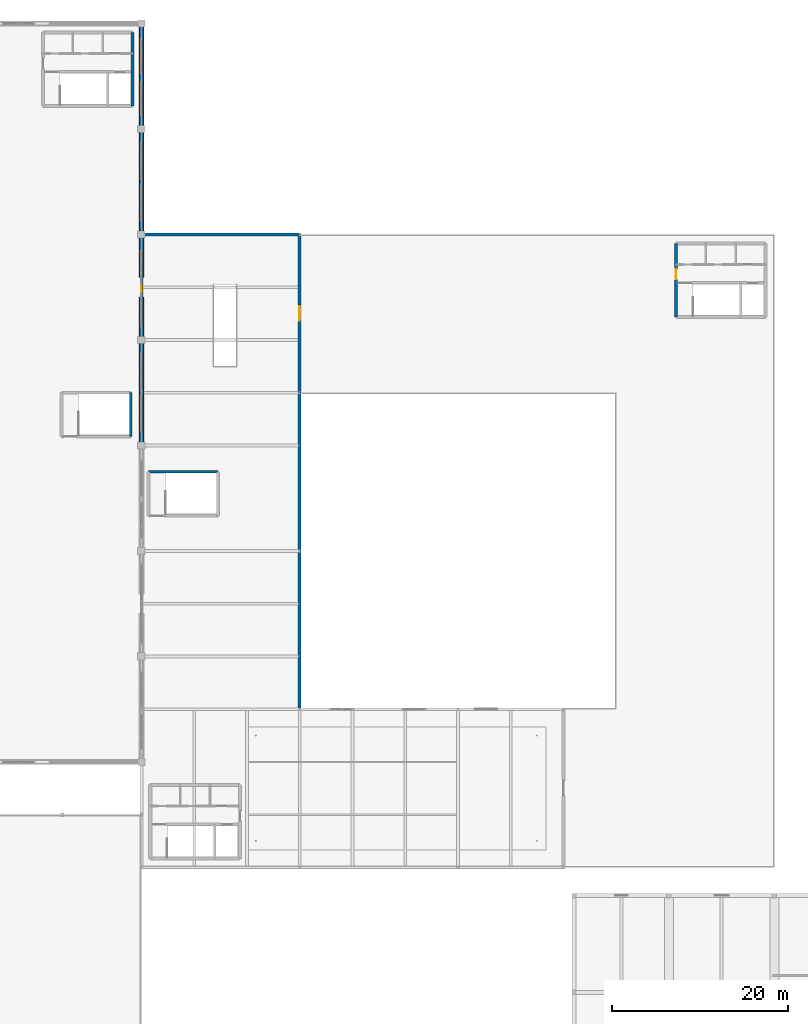
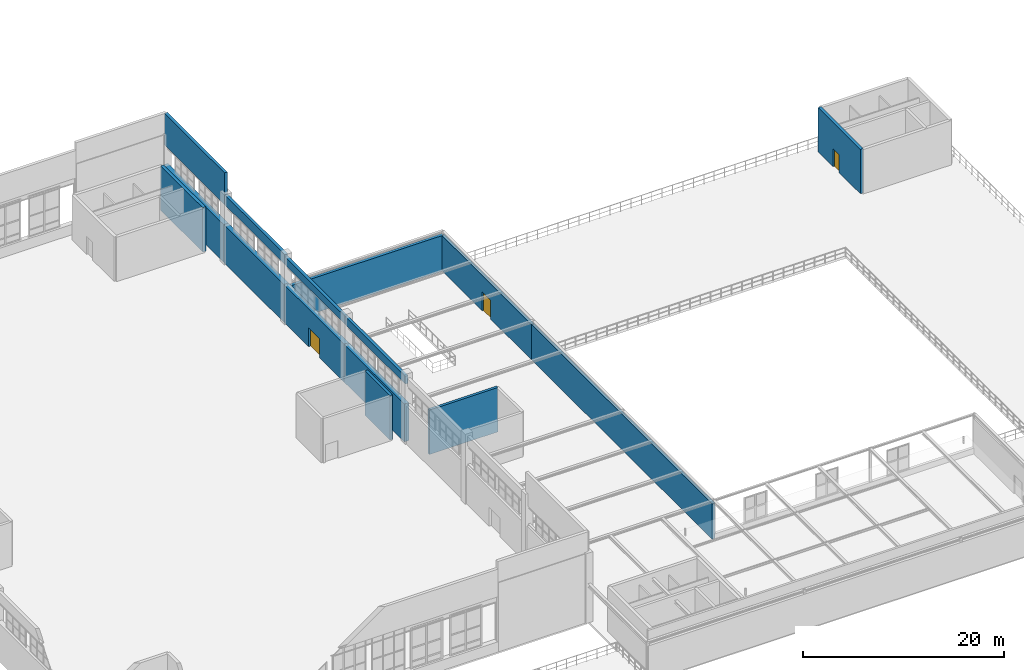
# One storey, part 81 of 97: 15 walls, 3 doors, 3 openings.
"""IFC4 building model written with IfcOpenShell, lengths in metres."""

from ifc_helpers import new_model, si_unit, derived_unit, direction, frame, frame_2d, origin, place, context, subcontext, project, spatial, rectangle, extrude, material, layer, layer_set, type_object, element, fill, save


model = new_model("IFC4")

# Units and contexts
model_context = context("Model", 3, precision=1e-05, world=origin(), true_north=direction((0.0, 1.0)))
body_context = subcontext(model_context, "Body", "Model", "MODEL_VIEW")
ifc_project = project(units=[si_unit("LENGTHUNIT", "METRE"), si_unit("AREAUNIT", "SQUARE_METRE"), si_unit("VOLUMEUNIT", "CUBIC_METRE"), si_unit("PLANEANGLEUNIT", "RADIAN"), si_unit("MASSUNIT", "GRAM", prefix="KILO"), derived_unit("THERMALTRANSMITTANCEUNIT", [(si_unit("POWERUNIT", "WATT"), 1), (si_unit("LENGTHUNIT", "METRE"), -2), (si_unit("THERMODYNAMICTEMPERATUREUNIT", "KELVIN"), -1)])], contexts=[model_context])

# Site, building, storey
site_placement = place(None, origin())
site = spatial("IfcSite", under=ifc_project, at=site_placement, CompositionType="ELEMENT")
building_placement = place(site_placement, origin())
building = spatial("IfcBuilding", under=site, at=building_placement, Name="Almenara Railside Exhibition Hall", CompositionType="ELEMENT")
storey_placement = place(building_placement, frame((0.0, 0.0, 10.800048828125)))
storey = spatial("IfcBuildingStorey", under=building, at=storey_placement, Name="L02", CompositionType="ELEMENT", Elevation=10.800048828125)

# Wall
ifc_material_1 = material(Name="Concrete C35/45", Category="concrete")
ifc_layer_1 = layer(ifc_material_1, 0.35009765625, Name="Concrete C35/45")
ifc_layer_set_1 = layer_set([ifc_layer_1], Name="Concrete C35/45")
wall_type_1 = type_object("IfcWallType", Name="Core Coupled Shear Wall 350mm C35/45", PredefinedType="SHEAR", material=ifc_layer_set_1)
wall_1_placement = place(storey_placement, frame((65.0, 122.60009765625, 0.0), z_axis=(0.0, 0.0, 1.0), x_axis=(0.0, 1.0, 0.0)))
element("IfcWall", 1, at=wall_1_placement, inside=storey, type_object=wall_type_1, Name="Interior wall 0049", PredefinedType="SHEAR", context=body_context, shape_type="SweptSolid", body=[
    extrude(rectangle(XDim=8.39990234375, YDim=0.35009765625, at=frame_2d((4.199951171875, 0.0))), origin(), (0.0, 0.0, 1.0), 5.39990234375),
])

# Wall, opening, door
wall_2_placement = place(storey_placement, frame((126.800048828125, 107.0, 0.0), z_axis=(0.0, 0.0, 1.0), x_axis=(0.0, -1.0, 0.0)))
wall_2 = element("IfcWall", 2, at=wall_2_placement, inside=storey, type_object=wall_type_1, Name="Interior wall 0237", PredefinedType="SHEAR", context=body_context, shape_type="SweptSolid", body=[
    extrude(rectangle(XDim=8.39990234375, YDim=0.35009765625, at=frame_2d((4.199951171875, 0.0))), origin(), (0.0, 0.0, 1.0), 5.39990234375),
])
opening_1_placement = place(wall_2_placement, frame((2.949951171875, 0.0, 0.0)))
opening_1 = element("IfcOpeningElement", 3, at=opening_1_placement, cuts=wall_2, Name="Opening FD-115", PredefinedType="OPENING", context=body_context, shape_type="SweptSolid", body=[
    extrude(rectangle(XDim=1.14990234375, YDim=2.14990234375, at=frame_2d((0.574951171875, 1.074951171875))), frame((0.0, 0.18505859375, 0.0), z_axis=(0.0, -1.0, 0.0), x_axis=(1.0, 0.0, 0.0)), (0.0, 0.0, 1.0), 0.3701171875),
])
ifc_material_2 = material(Name="Fire-rated iroko timber door", Category="wood")
door_type_1 = type_object("IfcDoorType", Name="Core Lobby Fire Door 1150x2150 EI60", OperationType="NOTDEFINED", PredefinedType="DOOR", material=ifc_material_2)
door_1_placement = place(opening_1_placement, origin())
door_1 = element("IfcDoor", 4, at=door_1_placement, inside=storey, type_object=door_type_1, Name="Interior door FD-115-157", OperationType="SINGLE_SWING_LEFT", OverallHeight=2.14990234375, OverallWidth=1.14990234375, PredefinedType="DOOR", context=body_context, shape_type="SweptSolid", body=[
    extrude(rectangle(XDim=1.14990234375, YDim=2.14990234375, at=frame_2d((0.574951171875, 1.074951171875))), frame((0.0, 0.02490234375, 0.0), z_axis=(0.0, -1.0, 0.0), x_axis=(1.0, 0.0, 0.0)), (0.0, 0.0, 1.0), 0.050048828125),
])
fill(opening_1, door_1)

ifc_material_3 = material(Name="Ochre-white lime-rendered masonry over Concrete C35/45", Category="masonry")
ifc_layer_2 = layer(ifc_material_3, 0.3349609375, Name="Ochre-white lime-rendered masonry over Concrete C35/45")
ifc_layer_set_2 = layer_set([ifc_layer_2], Name="Ochre-white lime-rendered masonry over Concrete C35/45")
wall_type_2 = type_object("IfcWallType", Name="Exterior Belvedere Wall 335mm C35/45", PredefinedType="SOLIDWALL", material=ifc_layer_set_2)
wall_3_placement = place(storey_placement, frame((84.0, 90.0, 0.0), z_axis=(0.0, 0.0, 1.0), x_axis=(0.0, 1.0, 0.0)))
wall_3 = element("IfcWall", 5, at=wall_3_placement, inside=storey, type_object=wall_type_2, Name="Exterior wall 0167", PredefinedType="SOLIDWALL", context=body_context, shape_type="SweptSolid", body=[
    extrude(rectangle(XDim=18.0, YDim=0.3349609375, at=frame_2d((9.0, 0.0))), origin(), (0.0, 0.0, 1.0), 4.300048828125),
])
opening_2_placement = place(wall_3_placement, frame((8.199951171875, 0.0, 0.0)))
opening_2 = element("IfcOpeningElement", 6, at=opening_2_placement, cuts=wall_3, Name="Opening TD-02", PredefinedType="OPENING", context=body_context, shape_type="SweptSolid", body=[
    extrude(rectangle(XDim=1.64990234375, YDim=2.300048828125, at=frame_2d((0.824951171875, 1.14990234375))), frame((0.0, 0.177490234375, 0.0), z_axis=(0.0, -1.0, 0.0), x_axis=(1.0, 0.0, 0.0)), (0.0, 0.0, 1.0), 0.35498046875),
])
ifc_material_4 = material(Name="Bronze-anodised glazed terrace door")
door_type_2 = type_object("IfcDoorType", Name="Roof Garden Glazed Terrace Door 1650x2300", OperationType="NOTDEFINED", PredefinedType="DOOR", material=ifc_material_4)
door_2_placement = place(opening_2_placement, origin())
door_2 = element("IfcDoor", 7, at=door_2_placement, inside=storey, type_object=door_type_2, Name="Exterior door TD-02", OperationType="DOUBLE_DOOR_SINGLE_SWING", OverallHeight=2.300048828125, OverallWidth=1.64990234375, PredefinedType="DOOR", context=body_context, shape_type="SweptSolid", body=[
    extrude(rectangle(XDim=1.64990234375, YDim=2.300048828125, at=frame_2d((0.824951171875, 1.14990234375))), frame((0.0, 0.02490234375, 0.0), z_axis=(0.0, -1.0, 0.0), x_axis=(1.0, 0.0, 0.0)), (0.0, 0.0, 1.0), 0.050048828125),
])
fill(opening_2, door_2)

# Walls
wall_4_placement = place(storey_placement, frame((84.0, 108.0, 0.0), z_axis=(0.0, 0.0, 1.0), x_axis=(-1.0, 0.0, 0.0)))
element("IfcWall", 8, at=wall_4_placement, inside=storey, type_object=wall_type_2, Name="Exterior wall 0169", PredefinedType="SOLIDWALL", context=body_context, shape_type="SweptSolid", body=[
    extrude(rectangle(XDim=18.0, YDim=0.3349609375, at=frame_2d((9.0, 0.0))), origin(), (0.0, 0.0, 1.0), 4.300048828125),
])
wall_5_placement = place(storey_placement, frame((84.0, 54.0, 0.0), z_axis=(0.0, 0.0, 1.0), x_axis=(0.0, 1.0, 0.0)))
element("IfcWall", 9, at=wall_5_placement, inside=storey, type_object=wall_type_2, Name="Exterior wall 0171", PredefinedType="SOLIDWALL", context=body_context, shape_type="SweptSolid", body=[
    extrude(rectangle(XDim=36.0, YDim=0.3349609375, at=frame_2d((18.0, 0.0))), origin(), (0.0, 0.0, 1.0), 4.300048828125),
])
for number, where, z_axis, x_axis, name in (
    (10, (66.0, 84.0, 7.0), (0.0, 0.0, 1.0), (0.0, 1.0, 0.0), "Exterior wall 0318"),
    (11, (66.0, 96.0, 7.0), (0.0, 0.0, 1.0), (0.0, 1.0, 0.0), "Exterior wall 0320"),
):
    element("IfcWall", number, at=place(storey_placement, frame(where, z_axis=z_axis, x_axis=x_axis)), inside=storey, type_object=wall_type_2, Name=name, PredefinedType="SOLIDWALL", context=body_context, shape_type="SweptSolid", body=[
        extrude(rectangle(XDim=12.0, YDim=0.3349609375, at=frame_2d((6.0, 0.0))), origin(), (0.0, 0.0, 1.0), 0.949951171875),
    ])
wall_6_placement = place(storey_placement, frame((66.0, 108.0, 7.0), z_axis=(0.0, 0.0, 1.0), x_axis=(0.0, 1.0, 0.0)))
element("IfcWall", 12, at=wall_6_placement, inside=storey, type_object=wall_type_2, Name="Exterior wall 0321", PredefinedType="SOLIDWALL", context=body_context, shape_type="SweptSolid", body=[
    extrude(rectangle(XDim=12.0, YDim=0.3349609375, at=frame_2d((6.0, 0.0))), origin(), (0.0, 0.0, 1.0), 1.2099609375),
])
wall_7_placement = place(storey_placement, frame((66.0, 120.0, 7.0), z_axis=(0.0, 0.0, 1.0), x_axis=(0.0, 1.0, 0.0)))
element("IfcWall", 13, at=wall_7_placement, inside=storey, type_object=wall_type_2, Name="Exterior wall 0323", PredefinedType="SOLIDWALL", context=body_context, shape_type="SweptSolid", body=[
    extrude(rectangle(XDim=12.0, YDim=0.3349609375, at=frame_2d((6.0, 0.0))), origin(), (0.0, 0.0, 1.0), 3.849853515625),
])
ifc_layer_3 = layer(ifc_material_3, 0.5400390625, Name="Ochre-white lime-rendered masonry over Concrete C35/45")
ifc_layer_set_3 = layer_set([ifc_layer_3], Name="Ochre-white lime-rendered masonry over Concrete C35/45")
wall_type_3 = type_object("IfcWallType", Name="Exterior West Hall Thermal Wall 540mm C35/45", PredefinedType="SOLIDWALL", material=ifc_layer_set_3)
wall_8_placement = place(storey_placement, frame((66.0, 84.0, 0.0), z_axis=(0.0, 0.0, 1.0), x_axis=(0.0, 1.0, 0.0)))
element("IfcWall", 14, at=wall_8_placement, inside=storey, type_object=wall_type_3, Name="Exterior wall 0038", PredefinedType="SOLIDWALL", context=body_context, shape_type="SweptSolid", body=[
    extrude(rectangle(XDim=12.0, YDim=0.5400390625, at=frame_2d((6.0, 0.0))), origin(), (0.0, 0.0, 1.0), 4.599853515625),
])

# Wall, opening, door
wall_9_placement = place(storey_placement, frame((66.0, 96.0, 0.0), z_axis=(0.0, 0.0, 1.0), x_axis=(0.0, 1.0, 0.0)))
wall_9 = element("IfcWall", 15, at=wall_9_placement, inside=storey, type_object=wall_type_3, Name="Exterior wall 0042", PredefinedType="SOLIDWALL", context=body_context, shape_type="SweptSolid", body=[
    extrude(rectangle(XDim=12.0, YDim=0.5400390625, at=frame_2d((6.0, 0.0))), origin(), (0.0, 0.0, 1.0), 4.599853515625),
])
opening_3_placement = place(wall_9_placement, frame((4.89990234375, 0.0, 0.0)))
opening_3 = element("IfcOpeningElement", 16, at=opening_3_placement, cuts=wall_9, Name="Opening FD-22", PredefinedType="OPENING", context=body_context, shape_type="SweptSolid", body=[
    extrude(rectangle(XDim=2.199951171875, YDim=2.300048828125, at=frame_2d((1.10009765625, 1.14990234375))), frame((0.0, 0.280029296875, 0.0), z_axis=(0.0, -1.0, 0.0), x_axis=(1.0, 0.0, 0.0)), (0.0, 0.0, 1.0), 0.56005859375),
])
ifc_material_5 = material(Name="Steel-framed fire-rated timber door", Category="steel")
door_type_3 = type_object("IfcDoorType", Name="Hall Escape Stair Double Door 2200x2300 EI60", OperationType="NOTDEFINED", PredefinedType="DOOR", material=ifc_material_5)
door_3_placement = place(opening_3_placement, origin())
door_3 = element("IfcDoor", 17, at=door_3_placement, inside=storey, type_object=door_type_3, Name="Interior door FD-22-283", OperationType="DOUBLE_DOOR_SINGLE_SWING", OverallHeight=2.300048828125, OverallWidth=2.199951171875, PredefinedType="DOOR", context=body_context, shape_type="SweptSolid", body=[
    extrude(rectangle(XDim=2.199951171875, YDim=2.300048828125, at=frame_2d((1.10009765625, 1.14990234375))), frame((0.0, 0.02490234375, 0.0), z_axis=(0.0, -1.0, 0.0), x_axis=(1.0, 0.0, 0.0)), (0.0, 0.0, 1.0), 0.050048828125),
])
fill(opening_3, door_3)

# Walls
for number, where, z_axis, x_axis, name in (
    (18, (66.0, 108.0, 0.0), (0.0, 0.0, 1.0), (0.0, 1.0, 0.0), "Exterior wall 0048"),
    (19, (66.0, 120.0, 0.0), (0.0, 0.0, 1.0), (0.0, 1.0, 0.0), "Exterior wall 0054"),
):
    element("IfcWall", number, at=place(storey_placement, frame(where, z_axis=z_axis, x_axis=x_axis)), inside=storey, type_object=wall_type_3, Name=name, PredefinedType="SOLIDWALL", context=body_context, shape_type="SweptSolid", body=[
        extrude(rectangle(XDim=12.0, YDim=0.5400390625, at=frame_2d((6.0, 0.0))), origin(), (0.0, 0.0, 1.0), 4.599853515625),
    ])
ifc_layer_4 = layer(ifc_material_1, 0.300048828125, Name="Concrete C35/45")
ifc_layer_set_4 = layer_set([ifc_layer_4], Name="Concrete C35/45")
wall_type_4 = type_object("IfcWallType", Name="Stair and Lift Shaft Wall 300mm C35/45", PredefinedType="SHEAR", material=ifc_layer_set_4)
wall_10_placement = place(storey_placement, frame((64.800048828125, 85.0, 0.0), z_axis=(0.0, 0.0, 1.0), x_axis=(0.0, 1.0, 0.0)))
element("IfcWall", 20, at=wall_10_placement, inside=storey, type_object=wall_type_4, Name="Interior wall 0299", PredefinedType="SHEAR", context=body_context, shape_type="SweptSolid", body=[
    extrude(rectangle(XDim=5.0, YDim=0.300048828125, at=frame_2d((2.5, 0.0))), origin(), (0.0, 0.0, 1.0), 5.39990234375),
])
wall_11_placement = place(storey_placement, frame((74.699951171875, 81.0, 0.0), z_axis=(0.0, 0.0, 1.0), x_axis=(-1.0, 0.0, 0.0)))
element("IfcWall", 21, at=wall_11_placement, inside=storey, type_object=wall_type_4, Name="Interior wall 0309", PredefinedType="SHEAR", context=body_context, shape_type="SweptSolid", body=[
    extrude(rectangle(XDim=7.89990234375, YDim=0.300048828125, at=frame_2d((3.949951171875, 0.0))), origin(), (0.0, 0.0, 1.0), 5.39990234375),
])

save(model, "model.ifc")
